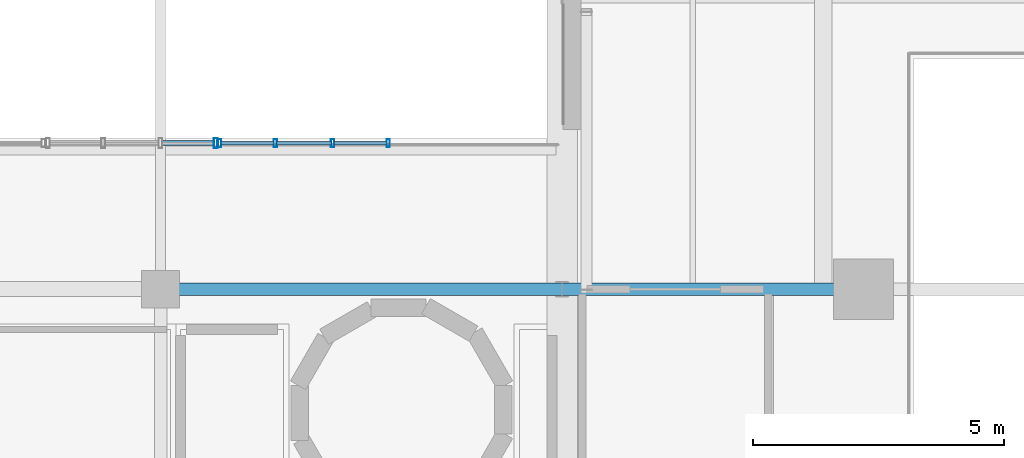
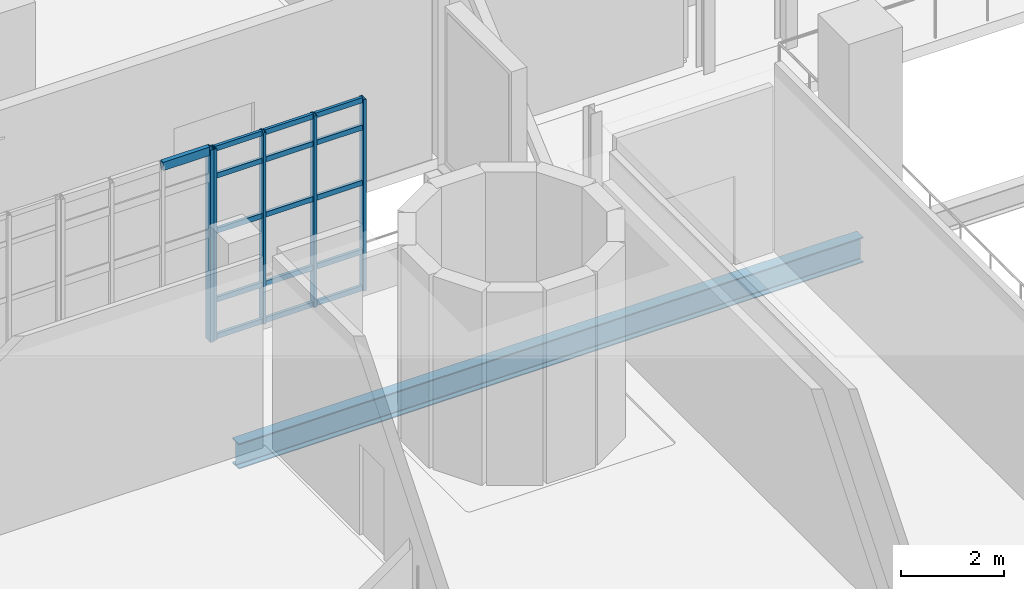
# One storey, part 28 of 102: 21 members, 1 beam, 2 elements without a shape of their own.
"""IFC4 building model written with IfcOpenShell, lengths in metres."""

from ifc_helpers import new_model, si_unit, derived_unit, direction, frame, origin, origin_2d, place, context, subcontext, project, spatial, hollow_rectangle, i_section, extrude, material, layer, layer_set, material_profile, profile_set, type_object, element, aggregate, save


model = new_model("IFC4")

# Units and contexts
model_context = context("Model", 3, precision=1e-05, world=origin(), true_north=direction((0.0, 1.0)))
body_context = subcontext(model_context, "Body", "Model", "MODEL_VIEW")
ifc_project = project(units=[si_unit("LENGTHUNIT", "METRE"), si_unit("AREAUNIT", "SQUARE_METRE"), si_unit("VOLUMEUNIT", "CUBIC_METRE"), si_unit("PLANEANGLEUNIT", "RADIAN"), si_unit("MASSUNIT", "GRAM", prefix="KILO"), derived_unit("THERMALTRANSMITTANCEUNIT", [(si_unit("POWERUNIT", "WATT"), 1), (si_unit("LENGTHUNIT", "METRE"), -2), (si_unit("THERMODYNAMICTEMPERATUREUNIT", "KELVIN"), -1)])], contexts=[model_context])

# Site, building, storey
site_placement = place(None, origin())
site = spatial("IfcSite", under=ifc_project, at=site_placement, CompositionType="ELEMENT")
building_placement = place(site_placement, origin())
building = spatial("IfcBuilding", under=site, at=building_placement, Name="Nallur Shell Playhouse", CompositionType="ELEMENT")
storey_placement = place(building_placement, frame((0.0, 0.0, 15.0)))
storey = spatial("IfcBuildingStorey", under=building, at=storey_placement, Name="L04", CompositionType="ELEMENT", Elevation=15.0)

# Beam
ifc_material_1 = material(Name="Steel E350", Category="steel")
ifc_material_profile_1 = material_profile(ifc_material_1, i_section(OverallWidth=0.25, OverallDepth=0.60009765625, WebThickness=0.01171875, FlangeThickness=0.023681640625, FilletRadius=0.01708984375, at=origin_2d()), Name="ISWB 600")
ifc_profile_set_1 = profile_set([ifc_material_profile_1], Name="Steel E350")
beam_type = type_object("IfcBeamType", Name="BM-ST-ISWB600", PredefinedType="BEAM", material=ifc_profile_set_1)
beam_placement = place(storey_placement, frame((56.0, 41.0, -0.56005859375), z_axis=(1.0, 0.0, 0.0), x_axis=(0.0, 1.0, 0.0)))
element("IfcBeam", 1, at=beam_placement, inside=storey, type_object=beam_type, Name="L04 girder X-E-769", PredefinedType="BEAM", context=body_context, shape_type="SweptSolid", body=[
    extrude(i_section(OverallWidth=0.25, OverallDepth=0.60009765625, WebThickness=0.01171875, FlangeThickness=0.023681640625, FilletRadius=0.01708984375, at=origin_2d()), origin(), (0.0, 0.0, 1.0), 14.0),
])

# Curtain wall, members
ifc_material_2 = material(Name="Anodised Aluminium Double-Glazed Facade System", Category="aluminium")
ifc_layer_1 = layer(ifc_material_2, 0.179931640625)
ifc_layer_set_1 = layer_set([ifc_layer_1], Name="Anodised Aluminium Double-Glazed Facade System")
curtain_wall_type_1 = type_object("IfcCurtainWallType", Name="CW-UNIT-23", PredefinedType="NOTDEFINED", material=ifc_layer_set_1)
curtain_wall_1_placement = place(storey_placement, origin())
curtain_wall_1 = element("IfcCurtainWall", 2, at=curtain_wall_1_placement, inside=storey, type_object=curtain_wall_type_1, Name="Unitised curtain wall CW-151 (L04)", PredefinedType="NOTDEFINED")
ifc_material_3 = material(Name="Aluminium Alloy 6063-T6 Mullion", Category="aluminium")
ifc_material_profile_2 = material_profile(ifc_material_3, hollow_rectangle(XDim=0.06494140625, YDim=0.159912109375, WallThickness=0.00390625, at=origin_2d()), Name="ALU 65x160x4")
ifc_profile_set_2 = profile_set([ifc_material_profile_2], Name="Aluminium Alloy 6063-T6 Mullion")
member_type_1 = type_object("IfcMemberType", Name="MB-CW-MUL160", PredefinedType="MULLION", material=ifc_profile_set_2)
member_1_placement = place(storey_placement, frame((57.180419921875, 43.909912109375, -0.014892578125), z_axis=(0.0, 0.0, 1.0), x_axis=(1.0, 0.0, 0.0)))
member_1 = element("IfcMember", 3, at=member_1_placement, type_object=member_type_1, Name="CW-23 mullion 1", PredefinedType="MULLION", context=body_context, shape_type="SweptSolid", body=[
    extrude(hollow_rectangle(XDim=0.06494140625, YDim=0.159912109375, WallThickness=0.00390625, at=origin_2d()), origin(), (0.0, 0.0, 1.0), 4.538818359375),
])
member_2_placement = place(storey_placement, frame((58.287353515625, 43.909912109375, -0.014892578125), z_axis=(0.0, 0.0, 1.0), x_axis=(1.0, 0.0, 0.0)))
member_2 = element("IfcMember", 4, at=member_2_placement, type_object=member_type_1, Name="CW-23 mullion 2", PredefinedType="MULLION", context=body_context, shape_type="SweptSolid", body=[
    extrude(hollow_rectangle(XDim=0.06494140625, YDim=0.159912109375, WallThickness=0.00390625, at=origin_2d()), origin(), (0.0, 0.0, 1.0), 4.538818359375),
])
member_3_placement = place(storey_placement, frame((59.427001953125, 43.909912109375, -0.014892578125), z_axis=(0.0, 0.0, 1.0), x_axis=(1.0, 0.0, 0.0)))
member_3 = element("IfcMember", 5, at=member_3_placement, type_object=member_type_1, Name="CW-23 mullion 3", PredefinedType="MULLION", context=body_context, shape_type="SweptSolid", body=[
    extrude(hollow_rectangle(XDim=0.06494140625, YDim=0.159912109375, WallThickness=0.00390625, at=origin_2d()), origin(), (0.0, 0.0, 1.0), 4.538818359375),
])
member_4_placement = place(storey_placement, frame((60.533935546875, 43.909912109375, -0.014892578125), z_axis=(0.0, 0.0, 1.0), x_axis=(1.0, 0.0, 0.0)))
member_4 = element("IfcMember", 6, at=member_4_placement, type_object=member_type_1, Name="CW-23 mullion 4", PredefinedType="MULLION", context=body_context, shape_type="SweptSolid", body=[
    extrude(hollow_rectangle(XDim=0.06494140625, YDim=0.159912109375, WallThickness=0.00390625, at=origin_2d()), origin(), (0.0, 0.0, 1.0), 4.538818359375),
])

# Curtain wall, member
ifc_layer_2 = layer(ifc_material_2, 0.176025390625)
ifc_layer_set_2 = layer_set([ifc_layer_2], Name="Anodised Aluminium Double-Glazed Facade System")
curtain_wall_type_2 = type_object("IfcCurtainWallType", Name="CW-UNIT-22", PredefinedType="NOTDEFINED", material=ifc_layer_set_2)
curtain_wall_2_placement = place(storey_placement, origin())
curtain_wall_2 = element("IfcCurtainWall", 7, at=curtain_wall_2_placement, inside=storey, type_object=curtain_wall_type_2, Name="Unitised curtain wall CW-150 (L04)", PredefinedType="NOTDEFINED")
ifc_material_profile_3 = material_profile(ifc_material_3, hollow_rectangle(XDim=0.074951171875, YDim=0.199951171875, WallThickness=0.0048828125, at=origin_2d()), Name="ALU 75x200x5")
ifc_profile_set_3 = profile_set([ifc_material_profile_3], Name="Aluminium Alloy 6063-T6 Mullion")
member_type_2 = type_object("IfcMemberType", Name="MB-CW-MUL180", PredefinedType="MULLION", material=ifc_profile_set_3)
member_5_placement = place(storey_placement, frame((57.100341796875, 43.909912109375, -0.014892578125), z_axis=(0.0, 0.0, 1.0), x_axis=(1.0, 0.0, 0.0)))
member_5 = element("IfcMember", 8, at=member_5_placement, type_object=member_type_2, Name="CW-22 mullion 4", PredefinedType="MULLION", context=body_context, shape_type="SweptSolid", body=[
    extrude(hollow_rectangle(XDim=0.074951171875, YDim=0.199951171875, WallThickness=0.0048828125, at=origin_2d()), origin(), (0.0, 0.0, 1.0), 4.558837890625),
])

# Member
ifc_material_4 = material(Name="Aluminium Alloy 6063-T6 Transom", Category="aluminium")
ifc_material_profile_4 = material_profile(ifc_material_4, hollow_rectangle(XDim=0.06494140625, YDim=0.1201171875, WallThickness=0.00390625, at=origin_2d()), Name="ALU 65x120x4")
ifc_profile_set_4 = profile_set([ifc_material_profile_4], Name="Aluminium Alloy 6063-T6 Transom")
member_type_3 = type_object("IfcMemberType", Name="MB-CW-TRN120", PredefinedType="USERDEFINED", material=ifc_profile_set_4)
member_6_placement = place(storey_placement, frame((57.204833984375, 43.909912109375, 0.032470703125), z_axis=(1.0, 0.0, 0.0), x_axis=(0.0, 1.0, 0.0)))
member_6 = element("IfcMember", 9, at=member_6_placement, type_object=member_type_3, Name="CW-23 transom 1.1", ObjectType="TRANSOM", PredefinedType="USERDEFINED", context=body_context, shape_type="SweptSolid", body=[
    extrude(hollow_rectangle(XDim=0.06494140625, YDim=0.1201171875, WallThickness=0.00390625, at=origin_2d()), origin(), (0.0, 0.0, 1.0), 1.05810546875),
])

member_7_placement = place(storey_placement, frame((57.204833984375, 43.909912109375, 0.89990234375), z_axis=(1.0, 0.0, 0.0), x_axis=(0.0, 1.0, 0.0)))
member_7 = element("IfcMember", 10, at=member_7_placement, type_object=member_type_3, Name="CW-23 transom 1.2", ObjectType="TRANSOM", PredefinedType="USERDEFINED", context=body_context, shape_type="SweptSolid", body=[
    extrude(hollow_rectangle(XDim=0.06494140625, YDim=0.1201171875, WallThickness=0.00390625, at=origin_2d()), origin(), (0.0, 0.0, 1.0), 1.05810546875),
])

member_8_placement = place(storey_placement, frame((57.204833984375, 43.909912109375, 2.531005859375), z_axis=(1.0, 0.0, 0.0), x_axis=(0.0, 1.0, 0.0)))
member_8 = element("IfcMember", 11, at=member_8_placement, type_object=member_type_3, Name="CW-23 transom 1.3", ObjectType="TRANSOM", PredefinedType="USERDEFINED", context=body_context, shape_type="SweptSolid", body=[
    extrude(hollow_rectangle(XDim=0.06494140625, YDim=0.1201171875, WallThickness=0.00390625, at=origin_2d()), origin(), (0.0, 0.0, 1.0), 1.05810546875),
])

member_9_placement = place(storey_placement, frame((57.204833984375, 43.909912109375, 3.840087890625), z_axis=(1.0, 0.0, 0.0), x_axis=(0.0, 1.0, 0.0)))
member_9 = element("IfcMember", 12, at=member_9_placement, type_object=member_type_3, Name="CW-23 transom 1.4", ObjectType="TRANSOM", PredefinedType="USERDEFINED", context=body_context, shape_type="SweptSolid", body=[
    extrude(hollow_rectangle(XDim=0.06494140625, YDim=0.1201171875, WallThickness=0.00390625, at=origin_2d()), origin(), (0.0, 0.0, 1.0), 1.05810546875),
])

member_10_placement = place(storey_placement, frame((57.204833984375, 43.909912109375, 4.487548828125), z_axis=(1.0, 0.0, 0.0), x_axis=(0.0, 1.0, 0.0)))
member_10 = element("IfcMember", 13, at=member_10_placement, type_object=member_type_3, Name="CW-23 transom 1.5", ObjectType="TRANSOM", PredefinedType="USERDEFINED", context=body_context, shape_type="SweptSolid", body=[
    extrude(hollow_rectangle(XDim=0.06494140625, YDim=0.1201171875, WallThickness=0.00390625, at=origin_2d()), origin(), (0.0, 0.0, 1.0), 1.05810546875),
])

member_11_placement = place(storey_placement, frame((58.31201171875, 43.909912109375, 0.032470703125), z_axis=(1.0, 0.0, 0.0), x_axis=(0.0, 1.0, 0.0)))
member_11 = element("IfcMember", 14, at=member_11_placement, type_object=member_type_3, Name="CW-23 transom 2.1", ObjectType="TRANSOM", PredefinedType="USERDEFINED", context=body_context, shape_type="SweptSolid", body=[
    extrude(hollow_rectangle(XDim=0.06494140625, YDim=0.1201171875, WallThickness=0.00390625, at=origin_2d()), origin(), (0.0, 0.0, 1.0), 1.09033203125),
])

member_12_placement = place(storey_placement, frame((58.31201171875, 43.909912109375, 0.89990234375), z_axis=(1.0, 0.0, 0.0), x_axis=(0.0, 1.0, 0.0)))
member_12 = element("IfcMember", 15, at=member_12_placement, type_object=member_type_3, Name="CW-23 transom 2.2", ObjectType="TRANSOM", PredefinedType="USERDEFINED", context=body_context, shape_type="SweptSolid", body=[
    extrude(hollow_rectangle(XDim=0.06494140625, YDim=0.1201171875, WallThickness=0.00390625, at=origin_2d()), origin(), (0.0, 0.0, 1.0), 1.09033203125),
])

member_13_placement = place(storey_placement, frame((58.31201171875, 43.909912109375, 2.531005859375), z_axis=(1.0, 0.0, 0.0), x_axis=(0.0, 1.0, 0.0)))
member_13 = element("IfcMember", 16, at=member_13_placement, type_object=member_type_3, Name="CW-23 transom 2.3", ObjectType="TRANSOM", PredefinedType="USERDEFINED", context=body_context, shape_type="SweptSolid", body=[
    extrude(hollow_rectangle(XDim=0.06494140625, YDim=0.1201171875, WallThickness=0.00390625, at=origin_2d()), origin(), (0.0, 0.0, 1.0), 1.09033203125),
])

member_14_placement = place(storey_placement, frame((58.31201171875, 43.909912109375, 3.840087890625), z_axis=(1.0, 0.0, 0.0), x_axis=(0.0, 1.0, 0.0)))
member_14 = element("IfcMember", 17, at=member_14_placement, type_object=member_type_3, Name="CW-23 transom 2.4", ObjectType="TRANSOM", PredefinedType="USERDEFINED", context=body_context, shape_type="SweptSolid", body=[
    extrude(hollow_rectangle(XDim=0.06494140625, YDim=0.1201171875, WallThickness=0.00390625, at=origin_2d()), origin(), (0.0, 0.0, 1.0), 1.09033203125),
])

member_15_placement = place(storey_placement, frame((58.31201171875, 43.909912109375, 4.487548828125), z_axis=(1.0, 0.0, 0.0), x_axis=(0.0, 1.0, 0.0)))
member_15 = element("IfcMember", 18, at=member_15_placement, type_object=member_type_3, Name="CW-23 transom 2.5", ObjectType="TRANSOM", PredefinedType="USERDEFINED", context=body_context, shape_type="SweptSolid", body=[
    extrude(hollow_rectangle(XDim=0.06494140625, YDim=0.1201171875, WallThickness=0.00390625, at=origin_2d()), origin(), (0.0, 0.0, 1.0), 1.09033203125),
])

member_16_placement = place(storey_placement, frame((59.451416015625, 43.909912109375, 0.032470703125), z_axis=(1.0, 0.0, 0.0), x_axis=(0.0, 1.0, 0.0)))
member_16 = element("IfcMember", 19, at=member_16_placement, type_object=member_type_3, Name="CW-23 transom 3.1", ObjectType="TRANSOM", PredefinedType="USERDEFINED", context=body_context, shape_type="SweptSolid", body=[
    extrude(hollow_rectangle(XDim=0.06494140625, YDim=0.1201171875, WallThickness=0.00390625, at=origin_2d()), origin(), (0.0, 0.0, 1.0), 1.05810546875),
])

member_17_placement = place(storey_placement, frame((59.451416015625, 43.909912109375, 0.89990234375), z_axis=(1.0, 0.0, 0.0), x_axis=(0.0, 1.0, 0.0)))
member_17 = element("IfcMember", 20, at=member_17_placement, type_object=member_type_3, Name="CW-23 transom 3.2", ObjectType="TRANSOM", PredefinedType="USERDEFINED", context=body_context, shape_type="SweptSolid", body=[
    extrude(hollow_rectangle(XDim=0.06494140625, YDim=0.1201171875, WallThickness=0.00390625, at=origin_2d()), origin(), (0.0, 0.0, 1.0), 1.05810546875),
])

member_18_placement = place(storey_placement, frame((59.451416015625, 43.909912109375, 2.531005859375), z_axis=(1.0, 0.0, 0.0), x_axis=(0.0, 1.0, 0.0)))
member_18 = element("IfcMember", 21, at=member_18_placement, type_object=member_type_3, Name="CW-23 transom 3.3", ObjectType="TRANSOM", PredefinedType="USERDEFINED", context=body_context, shape_type="SweptSolid", body=[
    extrude(hollow_rectangle(XDim=0.06494140625, YDim=0.1201171875, WallThickness=0.00390625, at=origin_2d()), origin(), (0.0, 0.0, 1.0), 1.05810546875),
])

member_19_placement = place(storey_placement, frame((59.451416015625, 43.909912109375, 3.840087890625), z_axis=(1.0, 0.0, 0.0), x_axis=(0.0, 1.0, 0.0)))
member_19 = element("IfcMember", 22, at=member_19_placement, type_object=member_type_3, Name="CW-23 transom 3.4", ObjectType="TRANSOM", PredefinedType="USERDEFINED", context=body_context, shape_type="SweptSolid", body=[
    extrude(hollow_rectangle(XDim=0.06494140625, YDim=0.1201171875, WallThickness=0.00390625, at=origin_2d()), origin(), (0.0, 0.0, 1.0), 1.05810546875),
])

member_20_placement = place(storey_placement, frame((59.451416015625, 43.909912109375, 4.487548828125), z_axis=(1.0, 0.0, 0.0), x_axis=(0.0, 1.0, 0.0)))
member_20 = element("IfcMember", 23, at=member_20_placement, type_object=member_type_3, Name="CW-23 transom 3.5", ObjectType="TRANSOM", PredefinedType="USERDEFINED", context=body_context, shape_type="SweptSolid", body=[
    extrude(hollow_rectangle(XDim=0.06494140625, YDim=0.1201171875, WallThickness=0.00390625, at=origin_2d()), origin(), (0.0, 0.0, 1.0), 1.05810546875),
])

aggregate(curtain_wall_1, [member_1, member_2, member_3, member_4, member_6, member_7, member_8, member_9, member_10, member_11, member_12, member_13, member_14, member_15, member_16, member_17, member_18, member_19, member_20])

ifc_material_profile_5 = material_profile(ifc_material_4, hollow_rectangle(XDim=0.10009765625, YDim=0.199951171875, WallThickness=0.008056640625, at=origin_2d()), Name="RHS 200x100x8")
ifc_profile_set_5 = profile_set([ifc_material_profile_5], Name="Aluminium Alloy 6063-T6 Transom")
member_type_4 = type_object("IfcMemberType", Name="MB-CW-TRN140", PredefinedType="USERDEFINED", material=ifc_profile_set_5)
member_21_placement = place(storey_placement, frame((56.02783203125, 43.909912109375, 4.489990234375), z_axis=(1.0, 0.0, 0.0), x_axis=(0.0, 1.0, 0.0)))
member_21 = element("IfcMember", 24, at=member_21_placement, type_object=member_type_4, Name="CW-22 transom 3.5", ObjectType="TRANSOM", PredefinedType="USERDEFINED", context=body_context, shape_type="SweptSolid", body=[
    extrude(hollow_rectangle(XDim=0.10009765625, YDim=0.199951171875, WallThickness=0.008056640625, at=origin_2d()), origin(), (0.0, 0.0, 1.0), 1.04296875),
])

aggregate(curtain_wall_2, [member_5, member_21])

save(model, "model.ifc")
